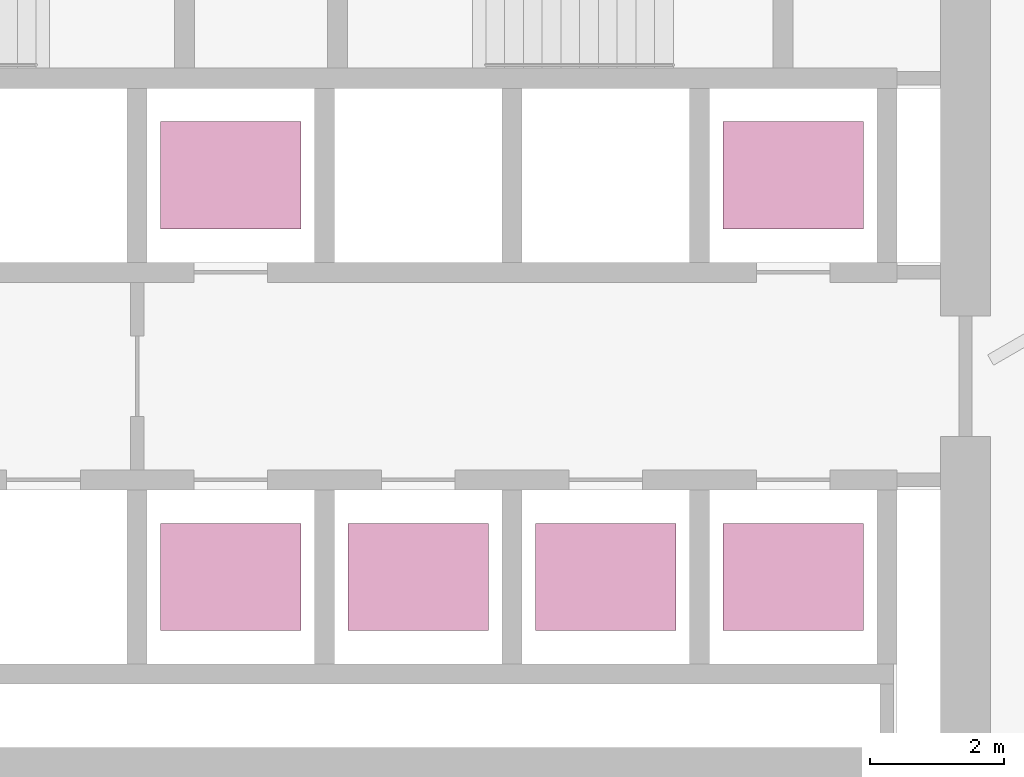
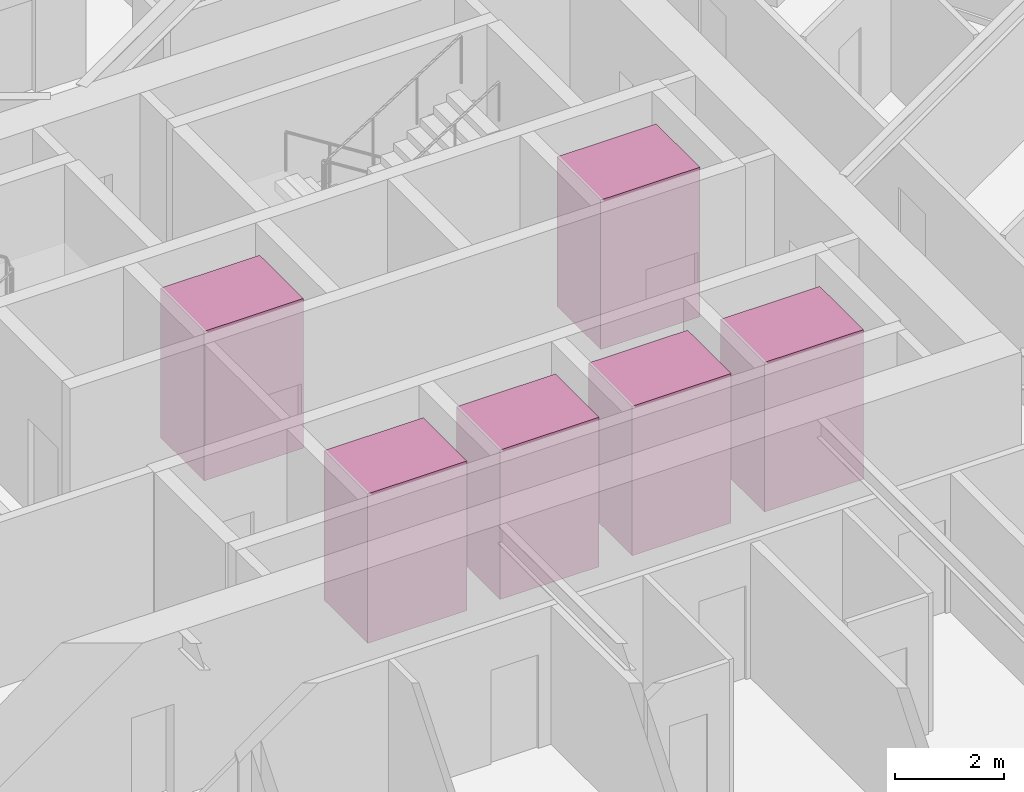
# One storey, part 19 of 19: 6 transport elements.
"""IFC4 building model written with IfcOpenShell, lengths in metres."""

import ifcopenshell
import ifcopenshell.guid

model = None  # the IFC model being written
_history = None  # IfcOwnerHistory: only IFC2X3 demands one
_inside = {}  # id of a spatial element -> (the spatial element, [elements in it])
_under = {}  # id of a project, library or spatial element -> (it, [spatial elements below it])
_declared = {}  # id of a project -> (the project, [libraries it declares])
_typed = {}  # id of a type object -> (the type object, [elements of that type])
_made_of = {}  # id of a material, layer set ... -> (it, [elements and type objects made of it])


def new_model(schema):
    """Start an empty IFC model of exactly this schema.

    Asked for "IFC4X3", IfcOpenShell would pick the latest addendum, in which some entities
    have other attributes; the version numbers below select the first issue.
    IFC2X3 requires an IfcOwnerHistory on every rooted entity: one is made here for all.
    """
    global model, _history
    if schema == "IFC4X3":
        model = ifcopenshell.file(schema_version=(4, 3, 0, 0))
    else:
        model = ifcopenshell.file(schema=schema)
    _inside.clear()
    _under.clear()
    _declared.clear()
    _typed.clear()
    _made_of.clear()
    _history = None
    if model.schema == "IFC2X3":
        org = make("IfcOrganization", Name="unknown")
        user = make(
            "IfcPersonAndOrganization",
            ThePerson=make("IfcPerson", FamilyName="unknown"),
            TheOrganization=org,
        )
        app = make(
            "IfcApplication",
            ApplicationDeveloper=org,
            Version="unknown",
            ApplicationFullName="unknown",
            ApplicationIdentifier="unknown",
        )
        _history = make(
            "IfcOwnerHistory",
            OwningUser=user,
            OwningApplication=app,
            ChangeAction="ADDED",
            CreationDate=0,
        )
    return model


def make(cls, **values):
    """One entity of the class cls with the attributes given. An attribute that is None is left unset."""
    return model.create_entity(
        cls, **{name: value for name, value in values.items() if value is not None}
    )


def rooted(cls, **values):
    """An entity with a GlobalId (a new one), such as an element, a storey or a relation."""
    return make(cls, GlobalId=ifcopenshell.guid.new(), OwnerHistory=_history, **values)


def si_unit(unit_type, name, prefix=None):
    """IfcSIUnit, for example si_unit("LENGTHUNIT", "METRE", prefix="MILLI")."""
    return make("IfcSIUnit", UnitType=unit_type, Prefix=prefix, Name=name)


def assignment(units):
    """IfcUnitAssignment: the units of a project."""
    return None if units is None else make("IfcUnitAssignment", Units=units)


def point(xyz):
    """IfcCartesianPoint."""
    return None if xyz is None else make("IfcCartesianPoint", Coordinates=xyz)


def direction(xyz):
    """IfcDirection."""
    return None if xyz is None else make("IfcDirection", DirectionRatios=xyz)


def frame(location, z_axis=None, x_axis=None):
    """IfcAxis2Placement3D, a coordinate frame: its origin and axes. An axis left out is left unset."""
    return make(
        "IfcAxis2Placement3D",
        Location=point(location),
        Axis=direction(z_axis),
        RefDirection=direction(x_axis),
    )


def frame_2d(location, x_axis=None):
    """IfcAxis2Placement2D, a coordinate frame in the plane: its origin and x axis."""
    return make(
        "IfcAxis2Placement2D", Location=point(location), RefDirection=direction(x_axis)
    )


def origin():
    """The frame at (0, 0, 0) with its axes left unset."""
    return frame((0.0, 0.0, 0.0))


def origin_2d():
    """The frame at (0, 0) in the plane with its x axis left unset."""
    return frame_2d((0.0, 0.0))


def place(relative_to, where):
    """IfcLocalPlacement: puts the frame where relative to a parent placement (None: the world)."""
    return make(
        "IfcLocalPlacement", PlacementRelTo=relative_to, RelativePlacement=where
    )


def context(
    kind, dimensions, precision=None, world=None, true_north=None, identifier=None
):
    """IfcGeometricRepresentationContext, for example the 3D "Model" context."""
    return make(
        "IfcGeometricRepresentationContext",
        ContextIdentifier=identifier,
        ContextType=kind,
        CoordinateSpaceDimension=dimensions,
        Precision=precision,
        WorldCoordinateSystem=world,
        TrueNorth=true_north,
    )


def subcontext(parent, identifier, kind, view, scale=None):
    """IfcGeometricRepresentationSubContext, for example "Body" below "Model"."""
    return make(
        "IfcGeometricRepresentationSubContext",
        ContextIdentifier=identifier,
        ContextType=kind,
        ParentContext=parent,
        TargetScale=scale,
        TargetView=view,
    )


def project(units=None, contexts=None):
    """IfcProject with its units and contexts."""
    return rooted(
        "IfcProject",
        Name="project",
        RepresentationContexts=contexts,
        UnitsInContext=assignment(units),
    )


def spatial(cls, under=None, at=None, **own):
    """A site, building, storey or space (cls), placed at a placement, below another one or the project."""
    s = rooted(cls, ObjectPlacement=at, **own)
    if under is not None:
        _under.setdefault(under.id(), (under, []))[1].append(s)
    return s


def profile(cls, at=None, kind="AREA", **sizes):
    """A parametric profile (cls). Its sizes go by their IFC names, for example OverallWidth=200.0."""
    return make(cls, ProfileType=kind, Position=at, **sizes)


def rectangle(**sizes):
    """IfcRectangleProfileDef."""
    return profile("IfcRectangleProfileDef", **sizes)


def extrude(swept, where, along, depth):
    """IfcExtrudedAreaSolid: the profile swept, set in the frame where, extruded along a direction by depth."""
    return make(
        "IfcExtrudedAreaSolid",
        SweptArea=swept,
        Position=where,
        ExtrudedDirection=direction(along),
        Depth=depth,
    )


def shape(context_of_items, identifier, shape_type, items):
    """IfcShapeRepresentation: the items that make up one representation, for example the "Body"."""
    return make(
        "IfcShapeRepresentation",
        ContextOfItems=context_of_items,
        RepresentationIdentifier=identifier,
        RepresentationType=shape_type,
        Items=items,
    )


def material(Name=None, Category=None):
    """IfcMaterial."""
    return make("IfcMaterial", Name=Name, Category=Category)


def made_of(thing, what):
    """Note that an element or type object is made of a material, layer set ...; save() writes the relation."""
    if what is not None:
        _made_of.setdefault(what.id(), (what, []))[1].append(thing)
    return thing


def type_object(cls, material=None, **own):
    """A type object (cls), such as IfcWallType, which elements share."""
    return made_of(rooted(cls, **own), material)


def element(
    cls,
    number,
    at=None,
    inside=None,
    cuts=None,
    type_object=None,
    material=None,
    context=None,
    identifier="Body",
    shape_type=None,
    held_by="IfcProductDefinitionShape",
    body=None,
    shapes=None,
    **own,
):
    """One element of the class cls, such as IfcWall. Its Tag is "e" and its number.

    at: its placement. inside: the storey or other place that contains it. cuts: it is an
    opening in that element (IfcRelVoidsElement). A single representation is given by context,
    identifier, shape_type and body (its items); several are given by shapes. held_by: the class
    of the entity that holds the representations. save() writes the other relations.
    """
    e = rooted(cls, Tag="e%d" % number, ObjectPlacement=at, **own)
    if body is not None:
        shapes = [shape(context, identifier, shape_type, body)]
    if shapes is not None:
        e.Representation = make(held_by, Representations=shapes)
    if inside is not None:
        _inside.setdefault(inside.id(), (inside, []))[1].append(e)
    if cuts is not None:
        rooted(
            "IfcRelVoidsElement", RelatingBuildingElement=cuts, RelatedOpeningElement=e
        )
    if type_object is not None:
        _typed.setdefault(type_object.id(), (type_object, []))[1].append(e)
    return made_of(e, material)


def aggregate(whole, parts):
    """IfcRelAggregates: a whole, such as a stair, and the parts it consists of."""
    return rooted("IfcRelAggregates", RelatingObject=whole, RelatedObjects=parts)


def save(model, path):
    """Write the relations noted so far, then the file.

    IfcRelAggregates (storeys below a building ...), IfcRelContainedInSpatialStructure (elements
    in a storey), IfcRelDefinesByType, IfcRelAssociatesMaterial and IfcRelDeclares: one each for
    every whole, place, type object, material and project.
    """
    for whole, parts in _under.values():
        aggregate(whole, parts)
    for where, things in _inside.values():
        rooted(
            "IfcRelContainedInSpatialStructure",
            RelatedElements=things,
            RelatingStructure=where,
        )
    for kind, things in _typed.values():
        rooted("IfcRelDefinesByType", RelatedObjects=things, RelatingType=kind)
    for what, things in _made_of.values():
        rooted("IfcRelAssociatesMaterial", RelatedObjects=things, RelatingMaterial=what)
    for by, libraries in _declared.values():
        rooted("IfcRelDeclares", RelatingContext=by, RelatedDefinitions=libraries)
    model.write(path)


model = new_model("IFC4")

# Units and contexts
model_context = context("Model", 3, precision=1e-05, world=origin(), true_north=direction((0.0, 1.0)))
body_context = subcontext(model_context, "Body", "Model", "MODEL_VIEW")
ifc_project = project(units=[si_unit("LENGTHUNIT", "METRE"), si_unit("AREAUNIT", "SQUARE_METRE"), si_unit("VOLUMEUNIT", "CUBIC_METRE"), si_unit("PLANEANGLEUNIT", "RADIAN"), si_unit("MASSUNIT", "GRAM", prefix="KILO")], contexts=[model_context])

# Site, building, storey
site_placement = place(None, origin())
site = spatial("IfcSite", under=ifc_project, at=site_placement, CompositionType="ELEMENT")
building_placement = place(site_placement, origin())
building = spatial("IfcBuilding", under=site, at=building_placement, Name="Firuza Gate Tower and Library", CompositionType="ELEMENT")
storey_placement = place(building_placement, frame((0.0, 0.0, 218.199951171875)))
storey = spatial("IfcBuildingStorey", under=building, at=storey_placement, Name="L51", CompositionType="ELEMENT", Elevation=218.199951171875)

# Transport elements
ifc_material = material(Name="Stainless steel and glass", Category="steel")
transport_element_type = type_object("IfcTransportElementType", Name="Mid-rise lift car 2100x1600", PredefinedType="ELEVATOR", material=ifc_material)
for number, where, z_axis, x_axis, name in (
    (1, (74.64990234375, 70.300048828125, 0.0), (0.0, 0.0, 1.0), (1.0, 0.0, 0.0), "Mid-rise lift MR1"),
    (2, (77.449951171875, 70.300048828125, 0.0), (0.0, 0.0, 1.0), (1.0, 0.0, 0.0), "Mid-rise lift MR2"),
    (3, (80.25, 70.300048828125, 0.0), (0.0, 0.0, 1.0), (1.0, 0.0, 0.0), "Mid-rise lift MR3"),
    (4, (74.64990234375, 76.300048828125, 0.0), (0.0, 0.0, 1.0), (1.0, 0.0, 0.0), "Mid-rise lift MR4"),
    (5, (83.050048828125, 70.300048828125, 0.0), (0.0, 0.0, 1.0), (1.0, 0.0, 0.0), "Mid-rise lift MR5"),
    (6, (83.050048828125, 76.300048828125, 0.0), (0.0, 0.0, 1.0), (1.0, 0.0, 0.0), "Mid-rise lift MR6"),
):
    element("IfcTransportElement", number, at=place(storey_placement, frame(where, z_axis=z_axis, x_axis=x_axis)), inside=storey, type_object=transport_element_type, Name=name, PredefinedType="ELEVATOR", context=body_context, shape_type="SweptSolid", body=[
        extrude(rectangle(XDim=2.10009765625, YDim=1.60009765625, at=origin_2d()), origin(), (0.0, 0.0, 1.0), 3.35009765625),
    ])

save(model, "model.ifc")
